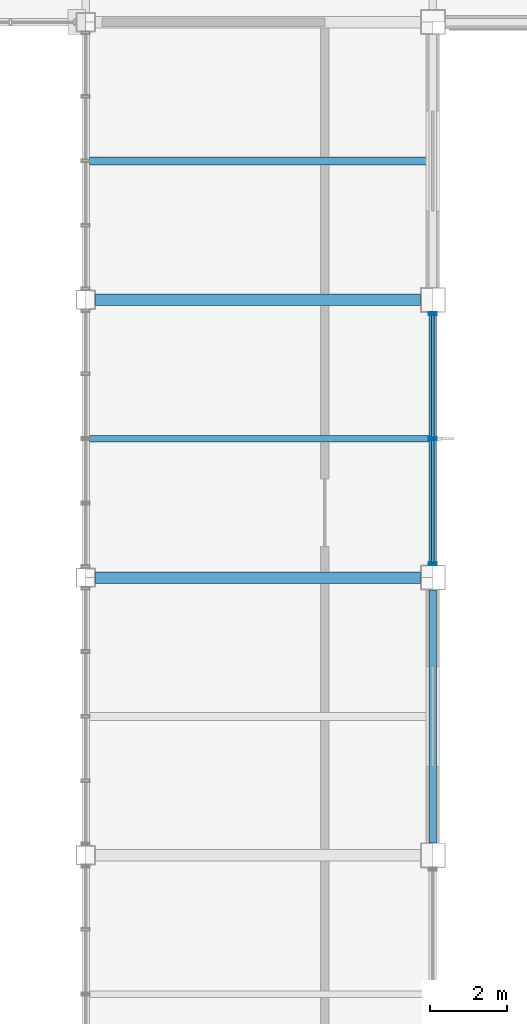
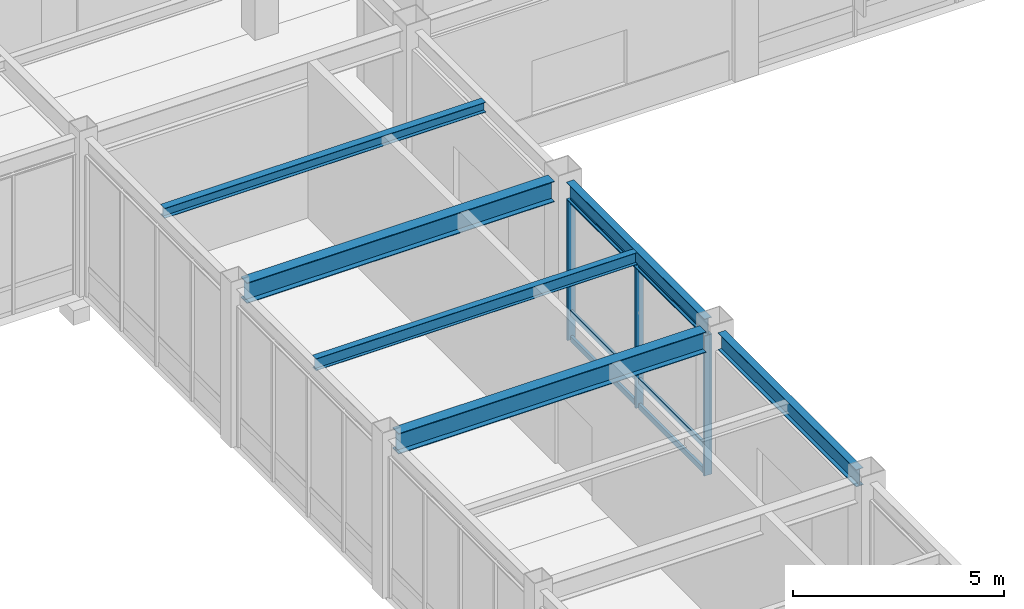
# One storey, part 34 of 112: 9 members, 6 beams, 1 element without a shape of its own.
"""IFC4 building model written with IfcOpenShell, lengths in metres."""

import ifcopenshell
import ifcopenshell.guid

model = None  # the IFC model being written
_history = None  # IfcOwnerHistory: only IFC2X3 demands one
_inside = {}  # id of a spatial element -> (the spatial element, [elements in it])
_under = {}  # id of a project, library or spatial element -> (it, [spatial elements below it])
_declared = {}  # id of a project -> (the project, [libraries it declares])
_typed = {}  # id of a type object -> (the type object, [elements of that type])
_made_of = {}  # id of a material, layer set ... -> (it, [elements and type objects made of it])


def new_model(schema):
    """Start an empty IFC model of exactly this schema.

    Asked for "IFC4X3", IfcOpenShell would pick the latest addendum, in which some entities
    have other attributes; the version numbers below select the first issue.
    IFC2X3 requires an IfcOwnerHistory on every rooted entity: one is made here for all.
    """
    global model, _history
    if schema == "IFC4X3":
        model = ifcopenshell.file(schema_version=(4, 3, 0, 0))
    else:
        model = ifcopenshell.file(schema=schema)
    _inside.clear()
    _under.clear()
    _declared.clear()
    _typed.clear()
    _made_of.clear()
    _history = None
    if model.schema == "IFC2X3":
        org = make("IfcOrganization", Name="unknown")
        user = make(
            "IfcPersonAndOrganization",
            ThePerson=make("IfcPerson", FamilyName="unknown"),
            TheOrganization=org,
        )
        app = make(
            "IfcApplication",
            ApplicationDeveloper=org,
            Version="unknown",
            ApplicationFullName="unknown",
            ApplicationIdentifier="unknown",
        )
        _history = make(
            "IfcOwnerHistory",
            OwningUser=user,
            OwningApplication=app,
            ChangeAction="ADDED",
            CreationDate=0,
        )
    return model


def make(cls, **values):
    """One entity of the class cls with the attributes given. An attribute that is None is left unset."""
    return model.create_entity(
        cls, **{name: value for name, value in values.items() if value is not None}
    )


def rooted(cls, **values):
    """An entity with a GlobalId (a new one), such as an element, a storey or a relation."""
    return make(cls, GlobalId=ifcopenshell.guid.new(), OwnerHistory=_history, **values)


def si_unit(unit_type, name, prefix=None):
    """IfcSIUnit, for example si_unit("LENGTHUNIT", "METRE", prefix="MILLI")."""
    return make("IfcSIUnit", UnitType=unit_type, Prefix=prefix, Name=name)


def assignment(units):
    """IfcUnitAssignment: the units of a project."""
    return None if units is None else make("IfcUnitAssignment", Units=units)


def point(xyz):
    """IfcCartesianPoint."""
    return None if xyz is None else make("IfcCartesianPoint", Coordinates=xyz)


def direction(xyz):
    """IfcDirection."""
    return None if xyz is None else make("IfcDirection", DirectionRatios=xyz)


def frame(location, z_axis=None, x_axis=None):
    """IfcAxis2Placement3D, a coordinate frame: its origin and axes. An axis left out is left unset."""
    return make(
        "IfcAxis2Placement3D",
        Location=point(location),
        Axis=direction(z_axis),
        RefDirection=direction(x_axis),
    )


def frame_2d(location, x_axis=None):
    """IfcAxis2Placement2D, a coordinate frame in the plane: its origin and x axis."""
    return make(
        "IfcAxis2Placement2D", Location=point(location), RefDirection=direction(x_axis)
    )


def origin():
    """The frame at (0, 0, 0) with its axes left unset."""
    return frame((0.0, 0.0, 0.0))


def origin_2d():
    """The frame at (0, 0) in the plane with its x axis left unset."""
    return frame_2d((0.0, 0.0))


def place(relative_to, where):
    """IfcLocalPlacement: puts the frame where relative to a parent placement (None: the world)."""
    return make(
        "IfcLocalPlacement", PlacementRelTo=relative_to, RelativePlacement=where
    )


def context(
    kind, dimensions, precision=None, world=None, true_north=None, identifier=None
):
    """IfcGeometricRepresentationContext, for example the 3D "Model" context."""
    return make(
        "IfcGeometricRepresentationContext",
        ContextIdentifier=identifier,
        ContextType=kind,
        CoordinateSpaceDimension=dimensions,
        Precision=precision,
        WorldCoordinateSystem=world,
        TrueNorth=true_north,
    )


def subcontext(parent, identifier, kind, view, scale=None):
    """IfcGeometricRepresentationSubContext, for example "Body" below "Model"."""
    return make(
        "IfcGeometricRepresentationSubContext",
        ContextIdentifier=identifier,
        ContextType=kind,
        ParentContext=parent,
        TargetScale=scale,
        TargetView=view,
    )


def project(units=None, contexts=None):
    """IfcProject with its units and contexts."""
    return rooted(
        "IfcProject",
        Name="project",
        RepresentationContexts=contexts,
        UnitsInContext=assignment(units),
    )


def spatial(cls, under=None, at=None, **own):
    """A site, building, storey or space (cls), placed at a placement, below another one or the project."""
    s = rooted(cls, ObjectPlacement=at, **own)
    if under is not None:
        _under.setdefault(under.id(), (under, []))[1].append(s)
    return s


def profile(cls, at=None, kind="AREA", **sizes):
    """A parametric profile (cls). Its sizes go by their IFC names, for example OverallWidth=200.0."""
    return make(cls, ProfileType=kind, Position=at, **sizes)


def hollow_rectangle(**sizes):
    """IfcRectangleHollowProfileDef."""
    return profile("IfcRectangleHollowProfileDef", **sizes)


def i_section(**sizes):
    """IfcIShapeProfileDef."""
    return profile("IfcIShapeProfileDef", **sizes)


def extrude(swept, where, along, depth):
    """IfcExtrudedAreaSolid: the profile swept, set in the frame where, extruded along a direction by depth."""
    return make(
        "IfcExtrudedAreaSolid",
        SweptArea=swept,
        Position=where,
        ExtrudedDirection=direction(along),
        Depth=depth,
    )


def shape(context_of_items, identifier, shape_type, items):
    """IfcShapeRepresentation: the items that make up one representation, for example the "Body"."""
    return make(
        "IfcShapeRepresentation",
        ContextOfItems=context_of_items,
        RepresentationIdentifier=identifier,
        RepresentationType=shape_type,
        Items=items,
    )


def material(Name=None, Category=None):
    """IfcMaterial."""
    return make("IfcMaterial", Name=Name, Category=Category)


def material_profile(
    of_material, cross_section, Name=None, Category=None, Priority=None
):
    """IfcMaterialProfile: a cross section and its material."""
    return make(
        "IfcMaterialProfile",
        Name=Name,
        Material=of_material,
        Profile=cross_section,
        Priority=Priority,
        Category=Category,
    )


def profile_set(profiles, Name=None, composite=None):
    """IfcMaterialProfileSet."""
    return make(
        "IfcMaterialProfileSet",
        Name=Name,
        MaterialProfiles=profiles,
        CompositeProfile=composite,
    )


def made_of(thing, what):
    """Note that an element or type object is made of a material, layer set ...; save() writes the relation."""
    if what is not None:
        _made_of.setdefault(what.id(), (what, []))[1].append(thing)
    return thing


def type_object(cls, material=None, **own):
    """A type object (cls), such as IfcWallType, which elements share."""
    return made_of(rooted(cls, **own), material)


def element(
    cls,
    number,
    at=None,
    inside=None,
    cuts=None,
    type_object=None,
    material=None,
    context=None,
    identifier="Body",
    shape_type=None,
    held_by="IfcProductDefinitionShape",
    body=None,
    shapes=None,
    **own,
):
    """One element of the class cls, such as IfcWall. Its Tag is "e" and its number.

    at: its placement. inside: the storey or other place that contains it. cuts: it is an
    opening in that element (IfcRelVoidsElement). A single representation is given by context,
    identifier, shape_type and body (its items); several are given by shapes. held_by: the class
    of the entity that holds the representations. save() writes the other relations.
    """
    e = rooted(cls, Tag="e%d" % number, ObjectPlacement=at, **own)
    if body is not None:
        shapes = [shape(context, identifier, shape_type, body)]
    if shapes is not None:
        e.Representation = make(held_by, Representations=shapes)
    if inside is not None:
        _inside.setdefault(inside.id(), (inside, []))[1].append(e)
    if cuts is not None:
        rooted(
            "IfcRelVoidsElement", RelatingBuildingElement=cuts, RelatedOpeningElement=e
        )
    if type_object is not None:
        _typed.setdefault(type_object.id(), (type_object, []))[1].append(e)
    return made_of(e, material)


def aggregate(whole, parts):
    """IfcRelAggregates: a whole, such as a stair, and the parts it consists of."""
    return rooted("IfcRelAggregates", RelatingObject=whole, RelatedObjects=parts)


def save(model, path):
    """Write the relations noted so far, then the file.

    IfcRelAggregates (storeys below a building ...), IfcRelContainedInSpatialStructure (elements
    in a storey), IfcRelDefinesByType, IfcRelAssociatesMaterial and IfcRelDeclares: one each for
    every whole, place, type object, material and project.
    """
    for whole, parts in _under.values():
        aggregate(whole, parts)
    for where, things in _inside.values():
        rooted(
            "IfcRelContainedInSpatialStructure",
            RelatedElements=things,
            RelatingStructure=where,
        )
    for kind, things in _typed.values():
        rooted("IfcRelDefinesByType", RelatedObjects=things, RelatingType=kind)
    for what, things in _made_of.values():
        rooted("IfcRelAssociatesMaterial", RelatedObjects=things, RelatingMaterial=what)
    for by, libraries in _declared.values():
        rooted("IfcRelDeclares", RelatingContext=by, RelatedDefinitions=libraries)
    model.write(path)


model = new_model("IFC4")

# Units and contexts
model_context = context("Model", 3, precision=1e-05, world=origin(), true_north=direction((0.0, 1.0)))
body_context = subcontext(model_context, "Body", "Model", "MODEL_VIEW")
ifc_project = project(units=[si_unit("LENGTHUNIT", "METRE"), si_unit("AREAUNIT", "SQUARE_METRE"), si_unit("VOLUMEUNIT", "CUBIC_METRE"), si_unit("PLANEANGLEUNIT", "RADIAN"), si_unit("MASSUNIT", "GRAM", prefix="KILO")], contexts=[model_context])

# Site, building, storey
site_placement = place(None, origin())
site = spatial("IfcSite", under=ifc_project, at=site_placement, CompositionType="ELEMENT")
building_placement = place(site_placement, origin())
building = spatial("IfcBuilding", under=site, at=building_placement, Name="Kazanami Central Library", CompositionType="ELEMENT")
storey_placement = place(building_placement, origin())
storey = spatial("IfcBuildingStorey", under=building, at=storey_placement, Name="L01", CompositionType="ELEMENT", Elevation=0.0)

# Beams
ifc_material_1 = material(Name="Steel SN400B (235 MPa)", Category="steel")
ifc_material_profile_1 = material_profile(ifc_material_1, i_section(OverallWidth=0.175048828125, OverallDepth=0.35009765625, WebThickness=0.007080078125, FlangeThickness=0.010986328125, at=origin_2d()), Name="H-350x175x7x11")
ifc_profile_set_1 = profile_set([ifc_material_profile_1], Name="Steel SN400B (235 MPa)")
beam_type_1 = type_object("IfcBeamType", Name="BM-B-S2", PredefinedType="JOIST", material=ifc_profile_set_1)
beam_1_placement = place(storey_placement, frame((45.097900390625, 54.0, 4.3798828125), z_axis=(1.0, 0.0, 0.0), x_axis=(0.0, 1.0, 0.0)))
element("IfcBeam", 1, at=beam_1_placement, inside=storey, type_object=beam_type_1, Name="Composite Secondary Joist B-S2 L01 Bay 6/H.1", PredefinedType="JOIST", context=body_context, shape_type="SweptSolid", body=[
    extrude(i_section(OverallWidth=0.175048828125, OverallDepth=0.35009765625, WebThickness=0.007080078125, FlangeThickness=0.010986328125, at=origin_2d()), origin(), (0.0, 0.0, 1.0), 8.80419921875),
])
ifc_material_profile_2 = material_profile(ifc_material_1, i_section(OverallWidth=0.199951171875, OverallDepth=0.2939453125, WebThickness=0.008056640625, FlangeThickness=0.011962890625, at=origin_2d()), Name="H-294x200x8x12")
ifc_profile_set_2 = profile_set([ifc_material_profile_2], Name="Steel SN400B (235 MPa)")
beam_type_2 = type_object("IfcBeamType", Name="BM-B-S5", PredefinedType="JOIST", material=ifc_profile_set_2)
beam_2_placement = place(storey_placement, frame((45.097900390625, 61.199951171875, 4.407958984375), z_axis=(1.0, 0.0, 0.0), x_axis=(0.0, 1.0, 0.0)))
element("IfcBeam", 2, at=beam_2_placement, inside=storey, type_object=beam_type_2, Name="Composite Secondary Joist B-S5 L01 Bay 6/J.1", PredefinedType="JOIST", context=body_context, shape_type="SweptSolid", body=[
    extrude(i_section(OverallWidth=0.199951171875, OverallDepth=0.2939453125, WebThickness=0.008056640625, FlangeThickness=0.011962890625, at=origin_2d()), origin(), (0.0, 0.0, 1.0), 8.80419921875),
])
ifc_material_2 = material(Name="Steel SN490B (325 MPa)", Category="steel")
ifc_material_profile_3 = material_profile(ifc_material_2, i_section(OverallWidth=0.300048828125, OverallDepth=0.60009765625, WebThickness=0.011962890625, FlangeThickness=0.02001953125, at=origin_2d()), Name="H-600x300x12x20")
ifc_profile_set_3 = profile_set([ifc_material_profile_3], Name="Steel SN490B (325 MPa)")
beam_type_3 = type_object("IfcBeamType", Name="BM-G-X1", PredefinedType="BEAM", material=ifc_profile_set_3)
for number, where, z_axis, x_axis, name in (
    (3, (45.248046875, 50.39990234375, 4.2548828125), (1.0, 0.0, 0.0), (0.0, 1.0, 0.0), "Girder G-X1 L01 H/6-7"),
    (4, (45.248046875, 57.60009765625, 4.2548828125), (1.0, 0.0, 0.0), (0.0, 1.0, 0.0), "Girder G-X1 L01 J/6-7"),
):
    element("IfcBeam", number, at=place(storey_placement, frame(where, z_axis=z_axis, x_axis=x_axis)), inside=storey, type_object=beam_type_3, Name=name, PredefinedType="BEAM", context=body_context, shape_type="SweptSolid", body=[
        extrude(i_section(OverallWidth=0.300048828125, OverallDepth=0.60009765625, WebThickness=0.011962890625, FlangeThickness=0.02001953125, at=origin_2d()), origin(), (0.0, 0.0, 1.0), 8.428955078125),
    ])
ifc_material_profile_4 = material_profile(ifc_material_2, i_section(OverallWidth=0.199951171875, OverallDepth=0.5, WebThickness=0.010009765625, FlangeThickness=0.01611328125, at=origin_2d()), Name="H-500x200x10x16")
ifc_profile_set_4 = profile_set([ifc_material_profile_4], Name="Steel SN490B (325 MPa)")
beam_type_4 = type_object("IfcBeamType", Name="BM-SP-1", PredefinedType="SPANDREL", material=ifc_profile_set_4)
beam_3_placement = place(storey_placement, frame((54.0, 43.52294921875, 4.304931640625), z_axis=(0.0, 1.0, 0.0), x_axis=(-1.0, 0.0, 0.0)))
element("IfcBeam", 5, at=beam_3_placement, inside=storey, type_object=beam_type_4, Name="Girder SP-1 L01 7/G-H", PredefinedType="SPANDREL", context=body_context, shape_type="SweptSolid", body=[
    extrude(i_section(OverallWidth=0.199951171875, OverallDepth=0.5, WebThickness=0.010009765625, FlangeThickness=0.01611328125, at=origin_2d()), origin(), (0.0, 0.0, 1.0), 6.553955078125),
])
beam_4_placement = place(storey_placement, frame((54.0, 50.722900390625, 4.304931640625), z_axis=(0.0, 1.0, 0.0), x_axis=(-1.0, 0.0, 0.0)))
element("IfcBeam", 6, at=beam_4_placement, inside=storey, type_object=beam_type_4, Name="Girder SP-1 L01 7/H-J", PredefinedType="SPANDREL", context=body_context, shape_type="SweptSolid", body=[
    extrude(i_section(OverallWidth=0.199951171875, OverallDepth=0.5, WebThickness=0.010009765625, FlangeThickness=0.01611328125, at=origin_2d()), origin(), (0.0, 0.0, 1.0), 6.55419921875),
])

# Curtain wall, members
ifc_material_3 = material(Name="Acid-Etched Low-E Laminated Glass", Category="glass")
curtain_wall_type = type_object("IfcCurtainWallType", Name="CW-6550x4055-M275", PredefinedType="USERDEFINED", material=ifc_material_3)
curtain_wall_placement = place(storey_placement, origin())
curtain_wall = element("IfcCurtainWall", 7, at=curtain_wall_placement, inside=storey, type_object=curtain_wall_type, Name="Unitised Curtain Wall CW-10 L01 E-7-07", ObjectType="UNITISED CURTAIN WALL", PredefinedType="USERDEFINED")
ifc_material_4 = material(Name="Anodised Aluminium A6063-T5", Category="aluminium")
ifc_material_profile_5 = material_profile(ifc_material_4, hollow_rectangle(XDim=0.070068359375, YDim=0.2099609375, WallThickness=0.0048828125, at=origin_2d()), Name="ALU-MULL-70x210x5")
ifc_profile_set_5 = profile_set([ifc_material_profile_5], Name="Anodised Aluminium A6063-T5")
member_type_1 = type_object("IfcMemberType", Name="MEM-CW-M1", PredefinedType="MULLION", material=ifc_profile_set_5)
member_1_placement = place(storey_placement, frame((54.0, 57.239990234375, 0.0), z_axis=(0.0, 0.0, 1.0), x_axis=(0.0, -1.0, 0.0)))
member_1 = element("IfcMember", 8, at=member_1_placement, type_object=member_type_1, Name="CW-10 mullion 1", PredefinedType="MULLION", context=body_context, shape_type="SweptSolid", body=[
    extrude(hollow_rectangle(XDim=0.070068359375, YDim=0.2099609375, WallThickness=0.0048828125, at=origin_2d()), origin(), (0.0, 0.0, 1.0), 4.054931640625),
])
member_2_placement = place(storey_placement, frame((54.0, 54.0, 0.0), z_axis=(0.0, 0.0, 1.0), x_axis=(0.0, -1.0, 0.0)))
member_2 = element("IfcMember", 9, at=member_2_placement, type_object=member_type_1, Name="CW-10 mullion 2", PredefinedType="MULLION", context=body_context, shape_type="SweptSolid", body=[
    extrude(hollow_rectangle(XDim=0.070068359375, YDim=0.2099609375, WallThickness=0.0048828125, at=origin_2d()), origin(), (0.0, 0.0, 1.0), 4.054931640625),
])
member_3_placement = place(storey_placement, frame((54.0, 50.760009765625, 0.0), z_axis=(0.0, 0.0, 1.0), x_axis=(0.0, -1.0, 0.0)))
member_3 = element("IfcMember", 10, at=member_3_placement, type_object=member_type_1, Name="CW-10 mullion 3", PredefinedType="MULLION", context=body_context, shape_type="SweptSolid", body=[
    extrude(hollow_rectangle(XDim=0.070068359375, YDim=0.2099609375, WallThickness=0.0048828125, at=origin_2d()), origin(), (0.0, 0.0, 1.0), 4.054931640625),
])
ifc_material_profile_6 = material_profile(ifc_material_4, hollow_rectangle(XDim=0.070068359375, YDim=0.159912109375, WallThickness=0.00390625, at=origin_2d()), Name="ALU-TRAN-70x160x4")
ifc_profile_set_6 = profile_set([ifc_material_profile_6], Name="Anodised Aluminium A6063-T5")
member_type_2 = type_object("IfcMemberType", Name="MEM-CW-T1", PredefinedType="USERDEFINED", material=ifc_profile_set_6)
member_4_placement = place(storey_placement, frame((54.0, 57.205078125, 0.034912109375), z_axis=(0.0, -1.0, 0.0), x_axis=(1.0, 0.0, 0.0)))
member_4 = element("IfcMember", 11, at=member_4_placement, type_object=member_type_2, Name="CW-10 transom 1.1", ObjectType="TRANSOM", PredefinedType="USERDEFINED", context=body_context, shape_type="SweptSolid", body=[
    extrude(hollow_rectangle(XDim=0.070068359375, YDim=0.159912109375, WallThickness=0.00390625, at=origin_2d()), origin(), (0.0, 0.0, 1.0), 3.170166015625),
])
member_5_placement = place(storey_placement, frame((54.0, 57.205078125, 0.780029296875), z_axis=(0.0, -1.0, 0.0), x_axis=(1.0, 0.0, 0.0)))
member_5 = element("IfcMember", 12, at=member_5_placement, type_object=member_type_2, Name="CW-10 transom 1.2", ObjectType="TRANSOM", PredefinedType="USERDEFINED", context=body_context, shape_type="SweptSolid", body=[
    extrude(hollow_rectangle(XDim=0.070068359375, YDim=0.159912109375, WallThickness=0.00390625, at=origin_2d()), origin(), (0.0, 0.0, 1.0), 3.170166015625),
])
member_6_placement = place(storey_placement, frame((54.0, 57.205078125, 4.02001953125), z_axis=(0.0, -1.0, 0.0), x_axis=(1.0, 0.0, 0.0)))
member_6 = element("IfcMember", 13, at=member_6_placement, type_object=member_type_2, Name="CW-10 transom 1.3", ObjectType="TRANSOM", PredefinedType="USERDEFINED", context=body_context, shape_type="SweptSolid", body=[
    extrude(hollow_rectangle(XDim=0.070068359375, YDim=0.159912109375, WallThickness=0.00390625, at=origin_2d()), origin(), (0.0, 0.0, 1.0), 3.170166015625),
])
member_7_placement = place(storey_placement, frame((54.0, 53.965087890625, 0.034912109375), z_axis=(0.0, -1.0, 0.0), x_axis=(1.0, 0.0, 0.0)))
member_7 = element("IfcMember", 14, at=member_7_placement, type_object=member_type_2, Name="CW-10 transom 2.1", ObjectType="TRANSOM", PredefinedType="USERDEFINED", context=body_context, shape_type="SweptSolid", body=[
    extrude(hollow_rectangle(XDim=0.070068359375, YDim=0.159912109375, WallThickness=0.00390625, at=origin_2d()), origin(), (0.0, 0.0, 1.0), 3.170166015625),
])
member_8_placement = place(storey_placement, frame((54.0, 53.965087890625, 0.780029296875), z_axis=(0.0, -1.0, 0.0), x_axis=(1.0, 0.0, 0.0)))
member_8 = element("IfcMember", 15, at=member_8_placement, type_object=member_type_2, Name="CW-10 transom 2.2", ObjectType="TRANSOM", PredefinedType="USERDEFINED", context=body_context, shape_type="SweptSolid", body=[
    extrude(hollow_rectangle(XDim=0.070068359375, YDim=0.159912109375, WallThickness=0.00390625, at=origin_2d()), origin(), (0.0, 0.0, 1.0), 3.170166015625),
])
member_9_placement = place(storey_placement, frame((54.0, 53.965087890625, 4.02001953125), z_axis=(0.0, -1.0, 0.0), x_axis=(1.0, 0.0, 0.0)))
member_9 = element("IfcMember", 16, at=member_9_placement, type_object=member_type_2, Name="CW-10 transom 2.3", ObjectType="TRANSOM", PredefinedType="USERDEFINED", context=body_context, shape_type="SweptSolid", body=[
    extrude(hollow_rectangle(XDim=0.070068359375, YDim=0.159912109375, WallThickness=0.00390625, at=origin_2d()), origin(), (0.0, 0.0, 1.0), 3.170166015625),
])
aggregate(curtain_wall, [member_1, member_2, member_3, member_4, member_5, member_6, member_7, member_8, member_9])

save(model, "model.ifc")
